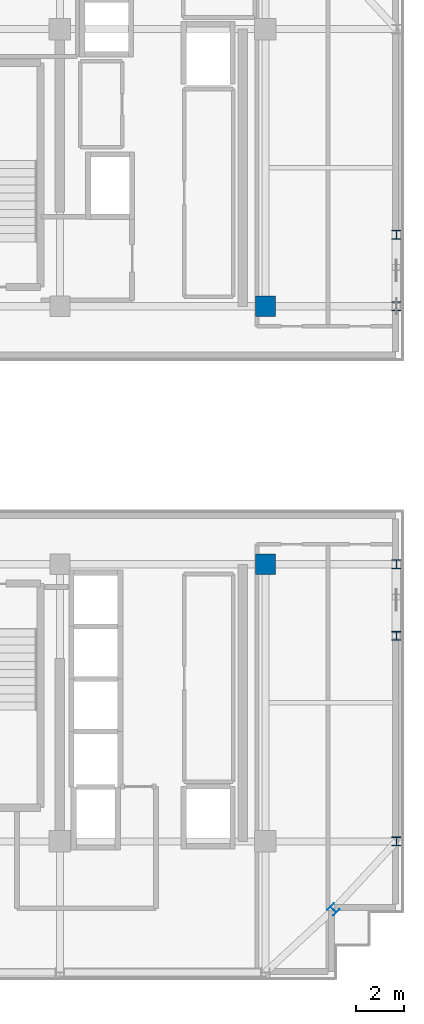
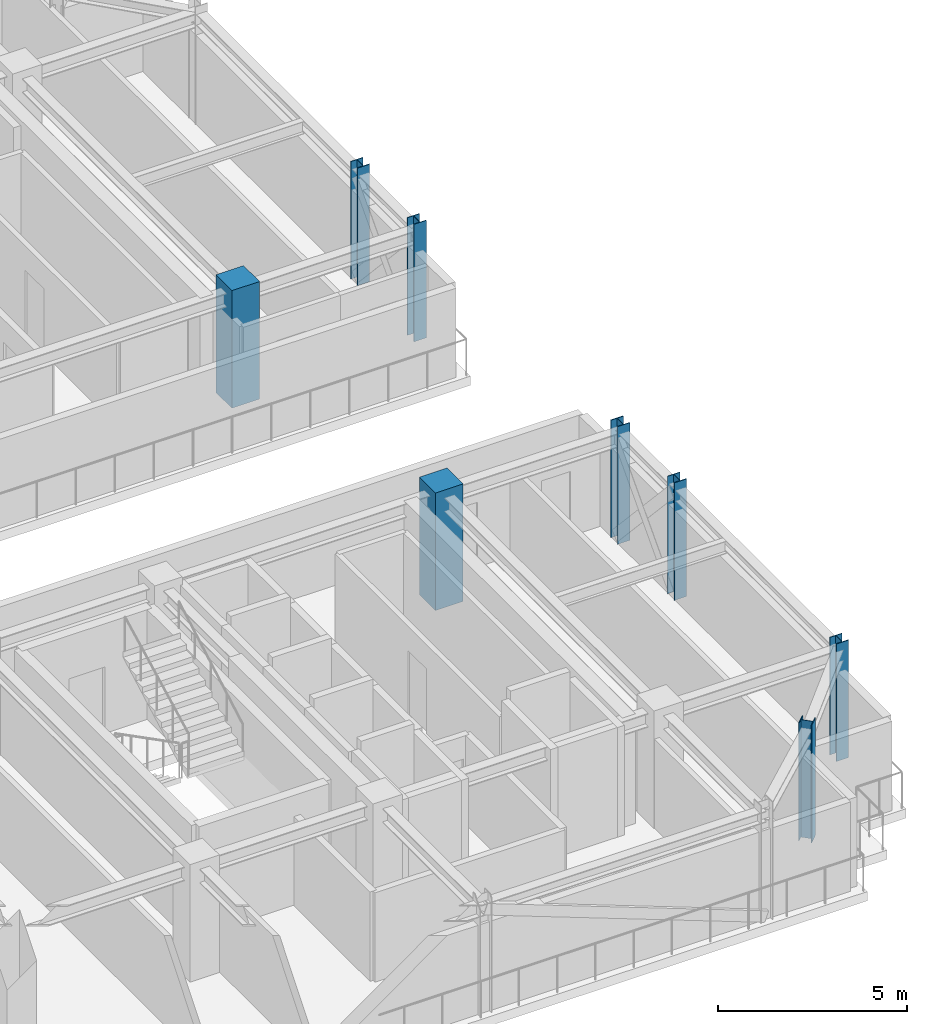
# One storey, part 2 of 14: 8 columns.
"""IFC4 building model written with IfcOpenShell, lengths in metres."""

import ifcopenshell
import ifcopenshell.guid

model = None  # the IFC model being written
_history = None  # IfcOwnerHistory: only IFC2X3 demands one
_inside = {}  # id of a spatial element -> (the spatial element, [elements in it])
_under = {}  # id of a project, library or spatial element -> (it, [spatial elements below it])
_declared = {}  # id of a project -> (the project, [libraries it declares])
_typed = {}  # id of a type object -> (the type object, [elements of that type])
_made_of = {}  # id of a material, layer set ... -> (it, [elements and type objects made of it])


def new_model(schema):
    """Start an empty IFC model of exactly this schema.

    Asked for "IFC4X3", IfcOpenShell would pick the latest addendum, in which some entities
    have other attributes; the version numbers below select the first issue.
    IFC2X3 requires an IfcOwnerHistory on every rooted entity: one is made here for all.
    """
    global model, _history
    if schema == "IFC4X3":
        model = ifcopenshell.file(schema_version=(4, 3, 0, 0))
    else:
        model = ifcopenshell.file(schema=schema)
    _inside.clear()
    _under.clear()
    _declared.clear()
    _typed.clear()
    _made_of.clear()
    _history = None
    if model.schema == "IFC2X3":
        org = make("IfcOrganization", Name="unknown")
        user = make(
            "IfcPersonAndOrganization",
            ThePerson=make("IfcPerson", FamilyName="unknown"),
            TheOrganization=org,
        )
        app = make(
            "IfcApplication",
            ApplicationDeveloper=org,
            Version="unknown",
            ApplicationFullName="unknown",
            ApplicationIdentifier="unknown",
        )
        _history = make(
            "IfcOwnerHistory",
            OwningUser=user,
            OwningApplication=app,
            ChangeAction="ADDED",
            CreationDate=0,
        )
    return model


def make(cls, **values):
    """One entity of the class cls with the attributes given. An attribute that is None is left unset."""
    return model.create_entity(
        cls, **{name: value for name, value in values.items() if value is not None}
    )


def rooted(cls, **values):
    """An entity with a GlobalId (a new one), such as an element, a storey or a relation."""
    return make(cls, GlobalId=ifcopenshell.guid.new(), OwnerHistory=_history, **values)


def si_unit(unit_type, name, prefix=None):
    """IfcSIUnit, for example si_unit("LENGTHUNIT", "METRE", prefix="MILLI")."""
    return make("IfcSIUnit", UnitType=unit_type, Prefix=prefix, Name=name)


def assignment(units):
    """IfcUnitAssignment: the units of a project."""
    return None if units is None else make("IfcUnitAssignment", Units=units)


def point(xyz):
    """IfcCartesianPoint."""
    return None if xyz is None else make("IfcCartesianPoint", Coordinates=xyz)


def direction(xyz):
    """IfcDirection."""
    return None if xyz is None else make("IfcDirection", DirectionRatios=xyz)


def frame(location, z_axis=None, x_axis=None):
    """IfcAxis2Placement3D, a coordinate frame: its origin and axes. An axis left out is left unset."""
    return make(
        "IfcAxis2Placement3D",
        Location=point(location),
        Axis=direction(z_axis),
        RefDirection=direction(x_axis),
    )


def frame_2d(location, x_axis=None):
    """IfcAxis2Placement2D, a coordinate frame in the plane: its origin and x axis."""
    return make(
        "IfcAxis2Placement2D", Location=point(location), RefDirection=direction(x_axis)
    )


def origin():
    """The frame at (0, 0, 0) with its axes left unset."""
    return frame((0.0, 0.0, 0.0))


def origin_2d():
    """The frame at (0, 0) in the plane with its x axis left unset."""
    return frame_2d((0.0, 0.0))


def place(relative_to, where):
    """IfcLocalPlacement: puts the frame where relative to a parent placement (None: the world)."""
    return make(
        "IfcLocalPlacement", PlacementRelTo=relative_to, RelativePlacement=where
    )


def context(
    kind, dimensions, precision=None, world=None, true_north=None, identifier=None
):
    """IfcGeometricRepresentationContext, for example the 3D "Model" context."""
    return make(
        "IfcGeometricRepresentationContext",
        ContextIdentifier=identifier,
        ContextType=kind,
        CoordinateSpaceDimension=dimensions,
        Precision=precision,
        WorldCoordinateSystem=world,
        TrueNorth=true_north,
    )


def subcontext(parent, identifier, kind, view, scale=None):
    """IfcGeometricRepresentationSubContext, for example "Body" below "Model"."""
    return make(
        "IfcGeometricRepresentationSubContext",
        ContextIdentifier=identifier,
        ContextType=kind,
        ParentContext=parent,
        TargetScale=scale,
        TargetView=view,
    )


def project(units=None, contexts=None):
    """IfcProject with its units and contexts."""
    return rooted(
        "IfcProject",
        Name="project",
        RepresentationContexts=contexts,
        UnitsInContext=assignment(units),
    )


def spatial(cls, under=None, at=None, **own):
    """A site, building, storey or space (cls), placed at a placement, below another one or the project."""
    s = rooted(cls, ObjectPlacement=at, **own)
    if under is not None:
        _under.setdefault(under.id(), (under, []))[1].append(s)
    return s


def profile(cls, at=None, kind="AREA", **sizes):
    """A parametric profile (cls). Its sizes go by their IFC names, for example OverallWidth=200.0."""
    return make(cls, ProfileType=kind, Position=at, **sizes)


def rectangle(**sizes):
    """IfcRectangleProfileDef."""
    return profile("IfcRectangleProfileDef", **sizes)


def i_section(**sizes):
    """IfcIShapeProfileDef."""
    return profile("IfcIShapeProfileDef", **sizes)


def extrude(swept, where, along, depth):
    """IfcExtrudedAreaSolid: the profile swept, set in the frame where, extruded along a direction by depth."""
    return make(
        "IfcExtrudedAreaSolid",
        SweptArea=swept,
        Position=where,
        ExtrudedDirection=direction(along),
        Depth=depth,
    )


def shape(context_of_items, identifier, shape_type, items):
    """IfcShapeRepresentation: the items that make up one representation, for example the "Body"."""
    return make(
        "IfcShapeRepresentation",
        ContextOfItems=context_of_items,
        RepresentationIdentifier=identifier,
        RepresentationType=shape_type,
        Items=items,
    )


def source(mapping_origin, context_of_items, identifier, shape_type, items):
    """IfcRepresentationMap: a shape defined once, which mapped items show again and again."""
    return make(
        "IfcRepresentationMap",
        MappingOrigin=mapping_origin,
        MappedRepresentation=shape(context_of_items, identifier, shape_type, items),
    )


def transform(
    local_origin,
    x_axis=None,
    y_axis=None,
    z_axis=None,
    scale=None,
    scale2=None,
    scale3=None,
    uniform=True,
):
    """IfcCartesianTransformationOperator3D, or its non-uniform kind. x_axis, y_axis, z_axis: its Axis1, 2, 3."""
    if uniform:
        return make(
            "IfcCartesianTransformationOperator3D",
            Axis1=direction(x_axis),
            Axis2=direction(y_axis),
            LocalOrigin=point(local_origin),
            Scale=scale,
            Axis3=direction(z_axis),
        )
    return make(
        "IfcCartesianTransformationOperator3DnonUniform",
        Axis1=direction(x_axis),
        Axis2=direction(y_axis),
        LocalOrigin=point(local_origin),
        Scale=scale,
        Axis3=direction(z_axis),
        Scale2=scale2,
        Scale3=scale3,
    )


def mapped(mapping_source, mapping_target):
    """IfcMappedItem: shows the shape of a source again, moved by a transform."""
    return make(
        "IfcMappedItem", MappingSource=mapping_source, MappingTarget=mapping_target
    )


def material(Name=None, Category=None):
    """IfcMaterial."""
    return make("IfcMaterial", Name=Name, Category=Category)


def material_profile(
    of_material, cross_section, Name=None, Category=None, Priority=None
):
    """IfcMaterialProfile: a cross section and its material."""
    return make(
        "IfcMaterialProfile",
        Name=Name,
        Material=of_material,
        Profile=cross_section,
        Priority=Priority,
        Category=Category,
    )


def profile_set(profiles, Name=None, composite=None):
    """IfcMaterialProfileSet."""
    return make(
        "IfcMaterialProfileSet",
        Name=Name,
        MaterialProfiles=profiles,
        CompositeProfile=composite,
    )


def made_of(thing, what):
    """Note that an element or type object is made of a material, layer set ...; save() writes the relation."""
    if what is not None:
        _made_of.setdefault(what.id(), (what, []))[1].append(thing)
    return thing


def type_object(cls, material=None, **own):
    """A type object (cls), such as IfcWallType, which elements share."""
    return made_of(rooted(cls, **own), material)


def element(
    cls,
    number,
    at=None,
    inside=None,
    cuts=None,
    type_object=None,
    material=None,
    context=None,
    identifier="Body",
    shape_type=None,
    held_by="IfcProductDefinitionShape",
    body=None,
    shapes=None,
    **own,
):
    """One element of the class cls, such as IfcWall. Its Tag is "e" and its number.

    at: its placement. inside: the storey or other place that contains it. cuts: it is an
    opening in that element (IfcRelVoidsElement). A single representation is given by context,
    identifier, shape_type and body (its items); several are given by shapes. held_by: the class
    of the entity that holds the representations. save() writes the other relations.
    """
    e = rooted(cls, Tag="e%d" % number, ObjectPlacement=at, **own)
    if body is not None:
        shapes = [shape(context, identifier, shape_type, body)]
    if shapes is not None:
        e.Representation = make(held_by, Representations=shapes)
    if inside is not None:
        _inside.setdefault(inside.id(), (inside, []))[1].append(e)
    if cuts is not None:
        rooted(
            "IfcRelVoidsElement", RelatingBuildingElement=cuts, RelatedOpeningElement=e
        )
    if type_object is not None:
        _typed.setdefault(type_object.id(), (type_object, []))[1].append(e)
    return made_of(e, material)


def aggregate(whole, parts):
    """IfcRelAggregates: a whole, such as a stair, and the parts it consists of."""
    return rooted("IfcRelAggregates", RelatingObject=whole, RelatedObjects=parts)


def save(model, path):
    """Write the relations noted so far, then the file.

    IfcRelAggregates (storeys below a building ...), IfcRelContainedInSpatialStructure (elements
    in a storey), IfcRelDefinesByType, IfcRelAssociatesMaterial and IfcRelDeclares: one each for
    every whole, place, type object, material and project.
    """
    for whole, parts in _under.values():
        aggregate(whole, parts)
    for where, things in _inside.values():
        rooted(
            "IfcRelContainedInSpatialStructure",
            RelatedElements=things,
            RelatingStructure=where,
        )
    for kind, things in _typed.values():
        rooted("IfcRelDefinesByType", RelatedObjects=things, RelatingType=kind)
    for what, things in _made_of.values():
        rooted("IfcRelAssociatesMaterial", RelatedObjects=things, RelatingMaterial=what)
    for by, libraries in _declared.values():
        rooted("IfcRelDeclares", RelatingContext=by, RelatedDefinitions=libraries)
    model.write(path)


model = new_model("IFC4")

# Units and contexts
model_context = context("Model", 3, precision=1e-05, world=origin(), true_north=direction((0.0, 1.0)))
body_context = subcontext(model_context, "Body", "Model", "MODEL_VIEW")
ifc_project = project(units=[si_unit("LENGTHUNIT", "METRE"), si_unit("AREAUNIT", "SQUARE_METRE"), si_unit("VOLUMEUNIT", "CUBIC_METRE"), si_unit("PLANEANGLEUNIT", "RADIAN"), si_unit("MASSUNIT", "GRAM", prefix="KILO")], contexts=[model_context])

# Site, building, storey
site_placement = place(None, origin())
site = spatial("IfcSite", under=ifc_project, at=site_placement, CompositionType="ELEMENT")
building_placement = place(site_placement, origin())
building = spatial("IfcBuilding", under=site, at=building_placement, Name="Nahalor Promenade Grand Hotel", CompositionType="ELEMENT")
storey_placement = place(building_placement, frame((0.0, 0.0, 296.5)))
storey = spatial("IfcBuildingStorey", under=building, at=storey_placement, Name="L76", CompositionType="ELEMENT", Elevation=296.5)

# Columns
ifc_material_1 = material(Name="Concrete B-70 (C60/75)", Category="concrete")
ifc_material_profile_1 = material_profile(ifc_material_1, rectangle(XDim=0.85, YDim=0.85, at=origin_2d()), Name="RC 850x850")
ifc_profile_set_1 = profile_set([ifc_material_profile_1], Name="Concrete B-70 (C60/75)")
column_type_1 = type_object("IfcColumnType", Name="Col-Pilaster-850", PredefinedType="PILASTER", material=ifc_profile_set_1)
shared_shape_1 = source(origin(), body_context, "Body", "SweptSolid", [
    extrude(rectangle(XDim=0.85, YDim=0.85, at=origin_2d()), origin(), (0.0, 0.0, 1.0), 3.804931640625),
])
for number, where, z_axis, x_axis, name in (
    (1, (17.0, -5.39990234375, 0.0), (0.0, 0.0, 1.0), (1.0, 0.0, 0.0), "COL-L76-I51"),
    (2, (17.0, 5.39990234375, 0.0), (0.0, 0.0, 1.0), (1.0, 0.0, 0.0), "COL-L76-I52"),
):
    element("IfcColumn", number, at=place(storey_placement, frame(where, z_axis=z_axis, x_axis=x_axis)), inside=storey, type_object=column_type_1, Name=name, PredefinedType="PILASTER", context=body_context, shape_type="MappedRepresentation", body=[
        mapped(shared_shape_1, transform((0.0, 0.0, 0.0), scale=1.0)),
    ])
ifc_material_2 = material(Name="Steel S355JR", Category="steel")
ifc_material_profile_2 = material_profile(ifc_material_2, i_section(OverallWidth=0.374, OverallDepth=0.374, WebThickness=0.0144, FlangeThickness=0.0229, at=origin_2d()), Name="HD 360x262")
ifc_profile_set_2 = profile_set([ifc_material_profile_2], Name="Steel S355JR")
column_type_2 = type_object("IfcColumnType", Name="Col-Steel-HD262", PredefinedType="COLUMN", material=ifc_profile_set_2)
shared_shape_2 = source(origin(), body_context, "Body", "SweptSolid", [
    extrude(i_section(OverallWidth=0.374, OverallDepth=0.374, WebThickness=0.0144, FlangeThickness=0.0229, at=origin_2d()), origin(), (0.0, 0.0, 1.0), 3.804931640625),
])
for number, where, z_axis, x_axis, name in (
    (3, (22.47998046875, -17.0, 0.0), (0.0, 0.0, 1.0), (1.0, 0.0, 0.0), "COL-L76-PW-E0"),
    (4, (22.47998046875, -8.39990234375, 0.0), (0.0, 0.0, 1.0), (1.0, 0.0, 0.0), "COL-L76-PW-E1"),
    (5, (22.47998046875, -5.39990234375, 0.0), (0.0, 0.0, 1.0), (1.0, 0.0, 0.0), "COL-L76-PW-E2"),
    (6, (22.47998046875, 5.39990234375, 0.0), (0.0, 0.0, 1.0), (1.0, 0.0, 0.0), "COL-L76-PW-E3"),
    (7, (22.47998046875, 8.39990234375, 0.0), (0.0, 0.0, 1.0), (1.0, 0.0, 0.0), "COL-L76-PW-E4"),
    (8, (19.85009765625, -19.85009765625, 0.0), (0.0, 0.0, 1.0), (0.707106781187, 0.707106781187, 0.0), "COL-L76-CRN-SE"),
):
    element("IfcColumn", number, at=place(storey_placement, frame(where, z_axis=z_axis, x_axis=x_axis)), inside=storey, type_object=column_type_2, Name=name, PredefinedType="COLUMN", context=body_context, shape_type="MappedRepresentation", body=[
        mapped(shared_shape_2, transform((0.0, 0.0, 0.0), scale=1.0)),
    ])

save(model, "model.ifc")
